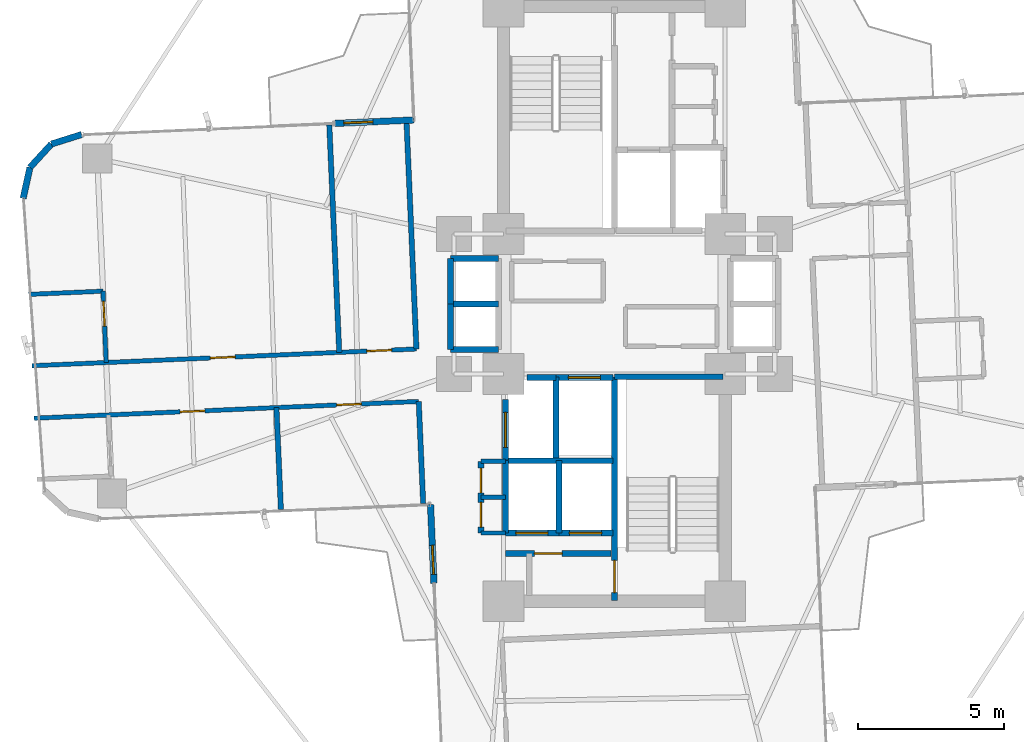
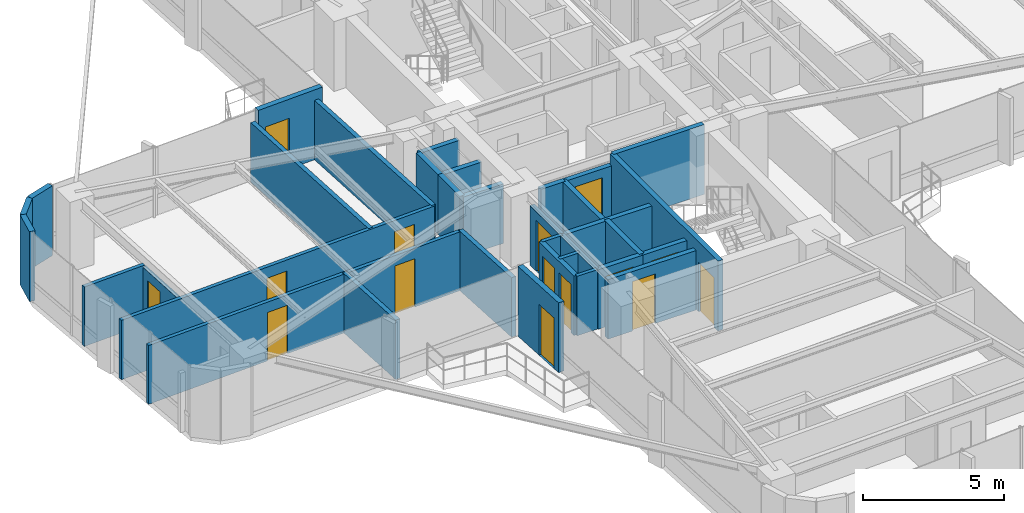
# One storey, part 23 of 26: 34 walls, 15 doors, 15 openings.
"""IFC4 building model written with IfcOpenShell, lengths in metres."""

from ifc_helpers import new_model, si_unit, direction, frame, frame_2d, origin, origin_2d, place, context, subcontext, project, spatial, rectangle, extrude, source, transform, mapped, material, layer, layer_set, type_object, element, fill, save


model = new_model("IFC4")

# Units and contexts
model_context = context("Model", 3, precision=1e-05, world=origin(), true_north=direction((0.0, 1.0)))
body_context = subcontext(model_context, "Body", "Model", "MODEL_VIEW")
ifc_project = project(units=[si_unit("LENGTHUNIT", "METRE"), si_unit("AREAUNIT", "SQUARE_METRE"), si_unit("VOLUMEUNIT", "CUBIC_METRE"), si_unit("PLANEANGLEUNIT", "RADIAN"), si_unit("MASSUNIT", "GRAM", prefix="KILO")], contexts=[model_context])

# Site, building, storey
site_placement = place(None, origin())
site = spatial("IfcSite", under=ifc_project, at=site_placement, CompositionType="ELEMENT")
building_placement = place(site_placement, origin())
building = spatial("IfcBuilding", under=site, at=building_placement, Name="Sahyath Konkavel Grand Hotel", CompositionType="ELEMENT")
storey_placement = place(building_placement, frame((0.0, 0.0, 134.89990234375)))
storey = spatial("IfcBuildingStorey", under=building, at=storey_placement, Name="L37", CompositionType="ELEMENT", Elevation=134.89990234375)

# Wall, opening, door
ifc_material_1 = material(Name="Warm Buff Sandstone Insulated Concrete C40/50", Category="masonry")
ifc_layer_1 = layer(ifc_material_1, 0.219970703125)
ifc_layer_set_1 = layer_set([ifc_layer_1], Name="Warm Buff Sandstone Insulated Concrete C40/50")
wall_type_1 = type_object("IfcWallType", Name="WLL-BALC-THRESH", PredefinedType="STANDARD", material=ifc_layer_set_1)
wall_1_placement = place(storey_placement, frame((-6.881591796875, 6.305908203125, 0.0), z_axis=(0.0, 0.0, 1.0), x_axis=(-0.999045894436, -0.043672655174, 0.0)))
wall_1 = element("IfcWall", 1, at=wall_1_placement, inside=storey, type_object=wall_type_1, Name="L37 Winter-Garden Threshold Wall 16", PredefinedType="STANDARD", context=body_context, shape_type="SweptSolid", body=[
    extrude(rectangle(XDim=2.7001953125, YDim=0.219970703125, at=frame_2d((1.35009765625, 0.0))), origin(), (0.0, 0.0, 1.0), 3.030029296875),
])
opening_1_placement = place(wall_1_placement, frame((1.39990234375, 0.0, 0.0)))
opening_1 = element("IfcOpeningElement", 2, at=opening_1_placement, cuts=wall_1, Name="Opening D-TR1", PredefinedType="OPENING", context=body_context, shape_type="SweptSolid", body=[
    extrude(rectangle(XDim=1.0, YDim=2.199951171875, at=frame_2d((0.5, 1.10009765625))), frame((0.0, 0.1201171875, 0.0), z_axis=(0.0, -1.0, 0.0), x_axis=(1.0, 0.0, 0.0)), (0.0, 0.0, 1.0), 0.239990234375),
])
ifc_material_2 = material(Name="Anodised Bronze Aluminium & Low-E Glazing", Category="aluminium")
door_type_1 = type_object("IfcDoorType", Name="DR-TERRACE-1000", OperationType="NOTDEFINED", PredefinedType="DOOR", material=ifc_material_2)
shared_shape_1 = source(origin(), body_context, "Body", "SweptSolid", [
    extrude(rectangle(XDim=1.0, YDim=0.050048828125, at=origin_2d()), origin(), (0.0, 0.0, 1.0), 2.199951171875),
])
door_1_placement = place(opening_1_placement, frame((0.5, 0.0, 0.0)))
door_1 = element("IfcDoor", 3, at=door_1_placement, inside=storey, type_object=door_type_1, Name="L37 Winter-Garden Terrace Door 16", OperationType="SINGLE_SWING_LEFT", OverallHeight=2.199951171875, OverallWidth=1.0, PredefinedType="DOOR", context=body_context, shape_type="MappedRepresentation", body=[
    mapped(shared_shape_1, transform((0.0, 0.0, 0.0), scale=1.0)),
])
fill(opening_1, door_1)

# Walls
for number, where, z_axis, x_axis, name in (
    (4, (-18.270751953125, 5.80859375, 0.0), (0.0, 0.0, 1.0), (-0.953721713582, -0.30069069331, 0.0), "L37 Rounded Corner Sandstone Pier 17"),
    (5, (-19.3076171875, 5.481689453125, 0.0), (0.0, 0.0, 1.0), (-0.675551721847, -0.737312600672, 0.0), "L37 Rounded Corner Sandstone Pier 18"),
):
    element("IfcWall", number, at=place(storey_placement, frame(where, z_axis=z_axis, x_axis=x_axis)), inside=storey, type_object=wall_type_1, Name=name, PredefinedType="STANDARD", context=body_context, shape_type="SweptSolid", body=[
        extrude(rectangle(XDim=1.087158203125, YDim=0.219970703125, at=frame_2d((0.54345703125, 0.0))), origin(), (0.0, 0.0, 1.0), 3.030029296875),
    ])
wall_2_placement = place(storey_placement, frame((-20.0419921875, 4.68017578125, 0.0), z_axis=(0.0, 0.0, 1.0), x_axis=(-0.216288323511, -0.976329535102, 0.0)))
element("IfcWall", 6, at=wall_2_placement, inside=storey, type_object=wall_type_1, Name="L37 Rounded Corner Sandstone Pier 19", PredefinedType="STANDARD", context=body_context, shape_type="SweptSolid", body=[
    extrude(rectangle(XDim=1.0869140625, YDim=0.219970703125, at=frame_2d((0.54345703125, 0.0))), origin(), (0.0, 0.0, 1.0), 3.030029296875),
])

# Wall, opening, door
wall_3_placement = place(storey_placement, frame((-6.305908203125, -6.881591796875, 0.0), z_axis=(0.0, 0.0, 1.0), x_axis=(0.043672655174, -0.999045894436, 0.0)))
wall_3 = element("IfcWall", 7, at=wall_3_placement, inside=storey, type_object=wall_type_1, Name="L37 Winter-Garden Threshold Wall 24", PredefinedType="STANDARD", context=body_context, shape_type="SweptSolid", body=[
    extrude(rectangle(XDim=2.7001953125, YDim=0.219970703125, at=frame_2d((1.35009765625, 0.0))), origin(), (0.0, 0.0, 1.0), 3.030029296875),
])
opening_2_placement = place(wall_3_placement, frame((1.39990234375, 0.0, 0.0)))
opening_2 = element("IfcOpeningElement", 8, at=opening_2_placement, cuts=wall_3, Name="Opening D-TR1", PredefinedType="OPENING", context=body_context, shape_type="SweptSolid", body=[
    extrude(rectangle(XDim=1.0, YDim=2.199951171875, at=frame_2d((0.5, 1.10009765625))), frame((0.0, 0.1201171875, 0.0), z_axis=(0.0, -1.0, 0.0), x_axis=(1.0, 0.0, 0.0)), (0.0, 0.0, 1.0), 0.239990234375),
])
door_2_placement = place(opening_2_placement, frame((0.5, 0.0, 0.0)))
door_2 = element("IfcDoor", 9, at=door_2_placement, inside=storey, type_object=door_type_1, Name="L37 Winter-Garden Terrace Door 24", OperationType="SINGLE_SWING_LEFT", OverallHeight=2.199951171875, OverallWidth=1.0, PredefinedType="DOOR", context=body_context, shape_type="MappedRepresentation", body=[
    mapped(shared_shape_1, transform((0.0, 0.0, 0.0), scale=1.0)),
])
fill(opening_2, door_2)

ifc_material_3 = material(Name="Concrete C40/50", Category="concrete")
ifc_layer_2 = layer(ifc_material_3, 0.199951171875)
ifc_layer_set_2 = layer_set([ifc_layer_2], Name="Concrete C40/50")
wall_type_2 = type_object("IfcWallType", Name="WLL-CORE-200", PredefinedType="SOLIDWALL", material=ifc_layer_set_2)
wall_4_placement = place(storey_placement, frame((0.0, -10.179931640625, 0.0), z_axis=(0.0, 0.0, 1.0), x_axis=(0.0, 1.0, 0.0)))
wall_4 = element("IfcWall", 10, at=wall_4_placement, inside=storey, type_object=wall_type_2, Name="L37 Stair ST-2 Shaft Wall W", PredefinedType="SOLIDWALL", context=body_context, shape_type="SweptSolid", body=[
    extrude(rectangle(XDim=7.679931640625, YDim=0.199951171875, at=frame_2d((3.83984375, 0.0))), origin(), (0.0, 0.0, 1.0), 3.030029296875),
])
opening_3_placement = place(wall_4_placement, frame((0.280029296875, 0.0, 0.0)))
opening_3 = element("IfcOpeningElement", 11, at=opening_3_placement, cuts=wall_4, Name="Opening D-F12B", PredefinedType="OPENING", context=body_context, shape_type="SweptSolid", body=[
    extrude(rectangle(XDim=1.10009765625, YDim=2.14990234375, at=frame_2d((0.550048828125, 1.074951171875))), frame((0.0, 0.10986328125, 0.0), z_axis=(0.0, -1.0, 0.0), x_axis=(1.0, 0.0, 0.0)), (0.0, 0.0, 1.0), 0.219970703125),
])
ifc_material_4 = material(Name="Steel E350 Smokeproof Fire Door", Category="steel")
door_type_2 = type_object("IfcDoorType", Name="DR-FD120-1100", OperationType="NOTDEFINED", PredefinedType="DOOR", material=ifc_material_4)
shared_shape_2 = source(origin(), body_context, "Body", "SweptSolid", [
    extrude(rectangle(XDim=1.10009765625, YDim=0.050048828125, at=origin_2d()), origin(), (0.0, 0.0, 1.0), 2.14990234375),
])
door_3_placement = place(opening_3_placement, frame((0.550048828125, 0.0, 0.0)))
door_3 = element("IfcDoor", 12, at=door_3_placement, inside=storey, type_object=door_type_2, Name="L37 Stair ST-2 Fire Door", OperationType="SINGLE_SWING_RIGHT", OverallHeight=2.14990234375, OverallWidth=1.10009765625, PredefinedType="DOOR", context=body_context, shape_type="MappedRepresentation", body=[
    mapped(shared_shape_2, transform((0.0, 0.0, 0.0), scale=1.0)),
])
fill(opening_3, door_3)

# Walls
wall_5_placement = place(storey_placement, frame((0.0, -2.5, 0.0), z_axis=(0.0, 0.0, 1.0), x_axis=(1.0, 0.0, 0.0)))
element("IfcWall", 13, at=wall_5_placement, inside=storey, type_object=wall_type_2, Name="L37 Stair ST-2 Shaft Wall N", PredefinedType="SOLIDWALL", context=body_context, shape_type="SweptSolid", body=[
    extrude(rectangle(XDim=3.719970703125, YDim=0.199951171875, at=frame_2d((1.85986328125, 0.0))), origin(), (0.0, 0.0, 1.0), 3.030029296875),
])
wall_6_placement = place(storey_placement, frame((-2.0, -5.280029296875, 0.0), z_axis=(0.0, 0.0, 1.0), x_axis=(0.0, 1.0, 0.0)))
element("IfcWall", 14, at=wall_6_placement, inside=storey, type_object=wall_type_2, Name="L37 Partition SH-FFL2-W", PredefinedType="SOLIDWALL", context=body_context, shape_type="SweptSolid", body=[
    extrude(rectangle(XDim=2.780029296875, YDim=0.199951171875, at=frame_2d((1.39013671875, 0.0))), origin(), (0.0, 0.0, 1.0), 2.580078125),
])

# Wall, opening, door
wall_7_placement = place(storey_placement, frame((-2.0, -2.52001953125, 0.0), z_axis=(0.0, 0.0, 1.0), x_axis=(1.0, 0.0, 0.0)))
wall_7 = element("IfcWall", 15, at=wall_7_placement, inside=storey, type_object=wall_type_2, Name="L37 Partition SH-FFL2-N", PredefinedType="SOLIDWALL", context=body_context, shape_type="SweptSolid", body=[
    extrude(rectangle(XDim=1.949951171875, YDim=0.199951171875, at=frame_2d((0.97509765625, 0.0))), origin(), (0.0, 0.0, 1.0), 2.580078125),
])
opening_4_placement = place(wall_7_placement, frame((0.419921875, 0.0, 0.0)))
opening_4 = element("IfcOpeningElement", 16, at=opening_4_placement, cuts=wall_7, Name="Opening LD-11", PredefinedType="OPENING", context=body_context, shape_type="SweptSolid", body=[
    extrude(rectangle(XDim=1.10009765625, YDim=2.199951171875, at=frame_2d((0.550048828125, 1.10009765625))), frame((0.0, 0.10986328125, 0.0), z_axis=(0.0, -1.0, 0.0), x_axis=(1.0, 0.0, 0.0)), (0.0, 0.0, 1.0), 0.219970703125),
])
ifc_material_5 = material(Name="Bronze Lift Landing Door 1100")
door_type_3 = type_object("IfcDoorType", Name="DR-LIFT-1100", OperationType="DOUBLE_DOOR_SLIDING", PredefinedType="DOOR", material=ifc_material_5)
shared_shape_3 = source(origin(), body_context, "Body", "SweptSolid", [
    extrude(rectangle(XDim=1.10009765625, YDim=0.050048828125, at=origin_2d()), origin(), (0.0, 0.0, 1.0), 2.199951171875),
])
door_4_placement = place(opening_4_placement, frame((0.550048828125, 0.0, 0.0)))
door_4 = element("IfcDoor", 17, at=door_4_placement, inside=storey, type_object=door_type_3, Name="L37 Lift FFL-2 Landing Door", OperationType="DOUBLE_DOOR_SLIDING", OverallHeight=2.199951171875, OverallWidth=1.10009765625, PredefinedType="DOOR", context=body_context, shape_type="MappedRepresentation", body=[
    mapped(shared_shape_3, transform((0.0, 0.0, 0.0), scale=1.0)),
])
fill(opening_4, door_4)

# Wall
wall_8_placement = place(storey_placement, frame((-3.0, -2.52001953125, 0.0), z_axis=(0.0, 0.0, 1.0), x_axis=(1.0, 0.0, 0.0)))
element("IfcWall", 18, at=wall_8_placement, inside=storey, type_object=wall_type_2, Name="L37 Partition SH-SVL2-N", PredefinedType="SOLIDWALL", context=body_context, shape_type="SweptSolid", body=[
    extrude(rectangle(XDim=1.0, YDim=0.199951171875, at=frame_2d((0.5, 0.0))), origin(), (0.0, 0.0, 1.0), 2.580078125),
])

# Wall, opening, door
wall_9_placement = place(storey_placement, frame((-3.739990234375, -5.360107421875, 0.0), z_axis=(0.0, 0.0, 1.0), x_axis=(0.0, 1.0, 0.0)))
wall_9 = element("IfcWall", 19, at=wall_9_placement, inside=storey, type_object=wall_type_2, Name="L37 Partition SH-SVL2-W", PredefinedType="SOLIDWALL", context=body_context, shape_type="SweptSolid", body=[
    extrude(rectangle(XDim=2.080078125, YDim=0.199951171875, at=frame_2d((1.0400390625, 0.0))), origin(), (0.0, 0.0, 1.0), 2.580078125),
])
opening_5_placement = place(wall_9_placement, frame((0.43994140625, 0.0, 0.0)))
opening_5 = element("IfcOpeningElement", 20, at=opening_5_placement, cuts=wall_9, Name="Opening LD-12", PredefinedType="OPENING", context=body_context, shape_type="SweptSolid", body=[
    extrude(rectangle(XDim=1.199951171875, YDim=2.199951171875, at=frame_2d((0.60009765625, 1.10009765625))), frame((0.0, 0.10986328125, 0.0), z_axis=(0.0, -1.0, 0.0), x_axis=(1.0, 0.0, 0.0)), (0.0, 0.0, 1.0), 0.219970703125),
])
ifc_material_6 = material(Name="Stainless Steel Lift Landing Door 1200", Category="steel")
door_type_4 = type_object("IfcDoorType", Name="DR-LIFT-1200", OperationType="DOUBLE_DOOR_SLIDING", PredefinedType="DOOR", material=ifc_material_6)
shared_shape_4 = source(origin(), body_context, "Body", "SweptSolid", [
    extrude(rectangle(XDim=1.199951171875, YDim=0.050048828125, at=origin_2d()), origin(), (0.0, 0.0, 1.0), 2.199951171875),
])
door_5_placement = place(opening_5_placement, frame((0.60009765625, 0.0, 0.0)))
door_5 = element("IfcDoor", 21, at=door_5_placement, inside=storey, type_object=door_type_4, Name="L37 Service Lift SVL-2 Landing Door", OperationType="DOUBLE_DOOR_SLIDING", OverallHeight=2.199951171875, OverallWidth=1.199951171875, PredefinedType="DOOR", context=body_context, shape_type="MappedRepresentation", body=[
    mapped(shared_shape_4, transform((0.0, 0.0, 0.0), scale=1.0)),
])
fill(opening_5, door_5)

# Wall
wall_10_placement = place(storey_placement, frame((-3.739990234375, -7.860107421875, 0.0), z_axis=(0.0, 0.0, 1.0), x_axis=(0.0, 1.0, 0.0)))
element("IfcWall", 22, at=wall_10_placement, inside=storey, type_object=wall_type_2, Name="L37 Partition SH-PL3-W", PredefinedType="SOLIDWALL", context=body_context, shape_type="SweptSolid", body=[
    extrude(rectangle(XDim=2.480224609375, YDim=0.199951171875, at=frame_2d((1.240234375, 0.0))), origin(), (0.0, 0.0, 1.0), 2.580078125),
])

# Wall, opening, door
wall_11_placement = place(storey_placement, frame((-3.739990234375, -7.860107421875, 0.0), z_axis=(0.0, 0.0, 1.0), x_axis=(1.0, 0.0, 0.0)))
wall_11 = element("IfcWall", 23, at=wall_11_placement, inside=storey, type_object=wall_type_2, Name="L37 Partition SH-PL3-S", PredefinedType="SOLIDWALL", context=body_context, shape_type="SweptSolid", body=[
    extrude(rectangle(XDim=1.840087890625, YDim=0.199951171875, at=frame_2d((0.919921875, 0.0))), origin(), (0.0, 0.0, 1.0), 2.580078125),
])
opening_6_placement = place(wall_11_placement, frame((0.360107421875, 0.0, 0.0)))
opening_6 = element("IfcOpeningElement", 24, at=opening_6_placement, cuts=wall_11, Name="Opening LD-11", PredefinedType="OPENING", context=body_context, shape_type="SweptSolid", body=[
    extrude(rectangle(XDim=1.10009765625, YDim=2.199951171875, at=frame_2d((0.550048828125, 1.10009765625))), frame((0.0, 0.10986328125, 0.0), z_axis=(0.0, -1.0, 0.0), x_axis=(1.0, 0.0, 0.0)), (0.0, 0.0, 1.0), 0.219970703125),
])
door_6_placement = place(opening_6_placement, frame((0.550048828125, 0.0, 0.0)))
door_6 = element("IfcDoor", 25, at=door_6_placement, inside=storey, type_object=door_type_3, Name="L37 Passenger Lift PL-3 Landing Door", OperationType="DOUBLE_DOOR_SLIDING", OverallHeight=2.199951171875, OverallWidth=1.10009765625, PredefinedType="DOOR", context=body_context, shape_type="MappedRepresentation", body=[
    mapped(shared_shape_3, transform((0.0, 0.0, 0.0), scale=1.0)),
])
fill(opening_6, door_6)

# Walls
wall_12_placement = place(storey_placement, frame((-3.739990234375, -5.3798828125, 0.0), z_axis=(0.0, 0.0, 1.0), x_axis=(1.0, 0.0, 0.0)))
element("IfcWall", 26, at=wall_12_placement, inside=storey, type_object=wall_type_2, Name="L37 Partition SH-PL34-N", PredefinedType="SOLIDWALL", context=body_context, shape_type="SweptSolid", body=[
    extrude(rectangle(XDim=3.68994140625, YDim=0.199951171875, at=frame_2d((1.844970703125, 0.0))), origin(), (0.0, 0.0, 1.0), 2.580078125),
])
wall_13_placement = place(storey_placement, frame((-1.89990234375, -7.860107421875, 0.0), z_axis=(0.0, 0.0, 1.0), x_axis=(0.0, 1.0, 0.0)))
element("IfcWall", 27, at=wall_13_placement, inside=storey, type_object=wall_type_2, Name="L37 Partition SH-PL34-M", PredefinedType="SOLIDWALL", context=body_context, shape_type="SweptSolid", body=[
    extrude(rectangle(XDim=2.480224609375, YDim=0.199951171875, at=frame_2d((1.240234375, 0.0))), origin(), (0.0, 0.0, 1.0), 2.580078125),
])

# Wall, opening, door
wall_14_placement = place(storey_placement, frame((-1.89990234375, -7.860107421875, 0.0), z_axis=(0.0, 0.0, 1.0), x_axis=(1.0, 0.0, 0.0)))
wall_14 = element("IfcWall", 28, at=wall_14_placement, inside=storey, type_object=wall_type_2, Name="L37 Partition SH-PL4-S", PredefinedType="SOLIDWALL", context=body_context, shape_type="SweptSolid", body=[
    extrude(rectangle(XDim=1.849853515625, YDim=0.199951171875, at=frame_2d((0.9248046875, 0.0))), origin(), (0.0, 0.0, 1.0), 2.580078125),
])
opening_7_placement = place(wall_14_placement, frame((0.360107421875, 0.0, 0.0)))
opening_7 = element("IfcOpeningElement", 29, at=opening_7_placement, cuts=wall_14, Name="Opening LD-11", PredefinedType="OPENING", context=body_context, shape_type="SweptSolid", body=[
    extrude(rectangle(XDim=1.10009765625, YDim=2.199951171875, at=frame_2d((0.550048828125, 1.10009765625))), frame((0.0, 0.10986328125, 0.0), z_axis=(0.0, -1.0, 0.0), x_axis=(1.0, 0.0, 0.0)), (0.0, 0.0, 1.0), 0.219970703125),
])
door_7_placement = place(opening_7_placement, frame((0.550048828125, 0.0, 0.0)))
door_7 = element("IfcDoor", 30, at=door_7_placement, inside=storey, type_object=door_type_3, Name="L37 Passenger Lift PL-4 Landing Door", OperationType="DOUBLE_DOOR_SLIDING", OverallHeight=2.199951171875, OverallWidth=1.10009765625, PredefinedType="DOOR", context=body_context, shape_type="MappedRepresentation", body=[
    mapped(shared_shape_3, transform((0.0, 0.0, 0.0), scale=1.0)),
])
fill(opening_7, door_7)

# Walls
for number, where, z_axis, x_axis, name in (
    (31, (-5.6201171875, 1.56005859375, 0.0), (0.0, 0.0, 1.0), (1.0, 0.0, 0.0), "L37 Partition SH-SL12-N"),
    (32, (-5.6201171875, -1.56005859375, 0.0), (0.0, 0.0, 1.0), (1.0, 0.0, 0.0), "L37 Partition SH-SL12-S"),
    (33, (-5.6201171875, 0.0, 0.0), (0.0, 0.0, 1.0), (1.0, 0.0, 0.0), "L37 Partition SH-SL12-M"),
):
    element("IfcWall", number, at=place(storey_placement, frame(where, z_axis=z_axis, x_axis=x_axis)), inside=storey, type_object=wall_type_2, Name=name, PredefinedType="SOLIDWALL", context=body_context, shape_type="SweptSolid", body=[
        extrude(rectangle(XDim=1.64013671875, YDim=0.199951171875, at=frame_2d((0.820068359375, 0.0))), origin(), (0.0, 0.0, 1.0), 2.580078125),
    ])
for number, where, z_axis, x_axis, name in (
    (34, (-5.6201171875, 0.0, 0.0), (0.0, 0.0, 1.0), (0.0, 1.0, 0.0), "L37 Partition SH-SL1-W"),
    (35, (-5.6201171875, -1.56005859375, 0.0), (0.0, 0.0, 1.0), (0.0, 1.0, 0.0), "L37 Partition SH-SL2-W"),
):
    element("IfcWall", number, at=place(storey_placement, frame(where, z_axis=z_axis, x_axis=x_axis)), inside=storey, type_object=wall_type_2, Name=name, PredefinedType="SOLIDWALL", context=body_context, shape_type="SweptSolid", body=[
        extrude(rectangle(XDim=1.56005859375, YDim=0.199951171875, at=frame_2d((0.780029296875, 0.0))), origin(), (0.0, 0.0, 1.0), 2.580078125),
    ])

# Wall, opening, door
wall_15_placement = place(storey_placement, frame((-3.739990234375, -8.56005859375, 0.0), z_axis=(0.0, 0.0, 1.0), x_axis=(1.0, 0.0, 0.0)))
wall_15 = element("IfcWall", 36, at=wall_15_placement, inside=storey, type_object=wall_type_2, Name="L37 South FF Lobby Separation Wall", PredefinedType="SOLIDWALL", context=body_context, shape_type="SweptSolid", body=[
    extrude(rectangle(XDim=3.619873046875, YDim=0.199951171875, at=frame_2d((1.81005859375, 0.0))), origin(), (0.0, 0.0, 1.0), 2.580078125),
])
opening_8_placement = place(wall_15_placement, frame((1.0, 0.0, 0.0)))
opening_8 = element("IfcOpeningElement", 37, at=opening_8_placement, cuts=wall_15, Name="Opening D-F12C", PredefinedType="OPENING", context=body_context, shape_type="SweptSolid", body=[
    extrude(rectangle(XDim=0.949951171875, YDim=2.14990234375, at=frame_2d((0.47509765625, 1.074951171875))), frame((0.0, 0.10986328125, 0.0), z_axis=(0.0, -1.0, 0.0), x_axis=(1.0, 0.0, 0.0)), (0.0, 0.0, 1.0), 0.219970703125),
])
ifc_material_7 = material(Name="Steel E350 Plant Fire Door", Category="steel")
door_type_5 = type_object("IfcDoorType", Name="DR-FD120-950", OperationType="NOTDEFINED", PredefinedType="DOOR", material=ifc_material_7)
shared_shape_5 = source(origin(), body_context, "Body", "SweptSolid", [
    extrude(rectangle(XDim=0.949951171875, YDim=0.050048828125, at=origin_2d()), origin(), (0.0, 0.0, 1.0), 2.14990234375),
])
door_8_placement = place(opening_8_placement, frame((0.47509765625, 0.0, 0.0)))
door_8 = element("IfcDoor", 38, at=door_8_placement, inside=storey, type_object=door_type_5, Name="L37 South Firefighting Lobby Door", OperationType="SINGLE_SWING_LEFT", OverallHeight=2.14990234375, OverallWidth=0.949951171875, PredefinedType="DOOR", context=body_context, shape_type="MappedRepresentation", body=[
    mapped(shared_shape_5, transform((0.0, 0.0, 0.0), scale=1.0)),
])
fill(opening_8, door_8)

# Wall, openings, doors
wall_16_placement = place(storey_placement, frame((-4.580078125, -7.860107421875, 0.0), z_axis=(0.0, 0.0, 1.0), x_axis=(0.0, 1.0, 0.0)))
wall_16 = element("IfcWall", 39, at=wall_16_placement, inside=storey, type_object=wall_type_2, Name="L37 Partition SC-FLK-W", PredefinedType="SOLIDWALL", context=body_context, shape_type="SweptSolid", body=[
    extrude(rectangle(XDim=2.460205078125, YDim=0.199951171875, at=frame_2d((1.22998046875, 0.0))), origin(), (0.0, 0.0, 1.0), 2.580078125),
])
opening_9_placement = place(wall_16_placement, frame((0.199951171875, 0.0, 0.0)))
opening_9 = element("IfcOpeningElement", 40, at=opening_9_placement, cuts=wall_16, Name="Opening D-F06D", PredefinedType="OPENING", context=body_context, shape_type="SweptSolid", body=[
    extrude(rectangle(XDim=0.85009765625, YDim=2.10009765625, at=frame_2d((0.425048828125, 1.050048828125))), frame((0.0, 0.10986328125, 0.0), z_axis=(0.0, -1.0, 0.0), x_axis=(1.0, 0.0, 0.0)), (0.0, 0.0, 1.0), 0.219970703125),
])
opening_10_placement = place(wall_16_placement, frame((1.3798828125, 0.0, 0.0)))
opening_10 = element("IfcOpeningElement", 41, at=opening_10_placement, cuts=wall_16, Name="Opening D-F06D", PredefinedType="OPENING", context=body_context, shape_type="SweptSolid", body=[
    extrude(rectangle(XDim=0.85009765625, YDim=2.10009765625, at=frame_2d((0.425048828125, 1.050048828125))), frame((0.0, 0.10986328125, 0.0), z_axis=(0.0, -1.0, 0.0), x_axis=(1.0, 0.0, 0.0)), (0.0, 0.0, 1.0), 0.219970703125),
])
ifc_material_8 = material(Name="Fire-Rated Shaft Access Door")
door_type_6 = type_object("IfcDoorType", Name="DR-FD60-850", OperationType="NOTDEFINED", PredefinedType="DOOR", material=ifc_material_8)
shared_shape_6 = source(origin(), body_context, "Body", "SweptSolid", [
    extrude(rectangle(XDim=0.85009765625, YDim=0.050048828125, at=origin_2d()), origin(), (0.0, 0.0, 1.0), 2.10009765625),
])
door_9_placement = place(opening_9_placement, frame((0.425048828125, 0.0, 0.0)))
door_9 = element("IfcDoor", 42, at=door_9_placement, inside=storey, type_object=door_type_6, Name="L37 Door SC-FLK1-D", OperationType="SINGLE_SWING_RIGHT", OverallHeight=2.10009765625, OverallWidth=0.85009765625, PredefinedType="DOOR", context=body_context, shape_type="MappedRepresentation", body=[
    mapped(shared_shape_6, transform((0.0, 0.0, 0.0), scale=1.0)),
])
fill(opening_9, door_9)
door_10_placement = place(opening_10_placement, frame((0.425048828125, 0.0, 0.0)))
door_10 = element("IfcDoor", 43, at=door_10_placement, inside=storey, type_object=door_type_6, Name="L37 Door SC-FLK2-D", OperationType="SINGLE_SWING_LEFT", OverallHeight=2.10009765625, OverallWidth=0.85009765625, PredefinedType="DOOR", context=body_context, shape_type="MappedRepresentation", body=[
    mapped(shared_shape_6, transform((0.0, 0.0, 0.0), scale=1.0)),
])
fill(opening_10, door_10)

# Walls
ifc_material_9 = material(Name="Twin-Stud Acoustic Gypsum Plasterboard Partition")
ifc_layer_3 = layer(ifc_material_9, 0.179931640625)
ifc_layer_set_3 = layer_set([ifc_layer_3], Name="Twin-Stud Acoustic Gypsum Plasterboard Partition")
wall_type_3 = type_object("IfcWallType", Name="WLL-DEMISE-180", PredefinedType="PARTITIONING", material=ifc_layer_set_3)
wall_17_placement = place(storey_placement, frame((-6.71044921875, -3.345947265625, 0.0), z_axis=(0.0, 0.0, 1.0), x_axis=(0.043597663116, -0.999049169846, 0.0)))
element("IfcWall", 44, at=wall_17_placement, inside=storey, type_object=wall_type_3, Name="L37 Partition W-INL", PredefinedType="PARTITIONING", context=body_context, shape_type="SweptSolid", body=[
    extrude(rectangle(XDim=3.5, YDim=0.179931640625, at=frame_2d((1.75, 0.0))), origin(), (0.0, 0.0, 1.0), 2.580078125),
])
wall_18_placement = place(storey_placement, frame((-7.129150390625, 6.2451171875, 0.0), z_axis=(0.0, 0.0, 1.0), x_axis=(0.043600217373, -0.999049058378, 0.0)))
element("IfcWall", 45, at=wall_18_placement, inside=storey, type_object=wall_type_3, Name="L37 Partition W-INR", PredefinedType="PARTITIONING", context=body_context, shape_type="SweptSolid", body=[
    extrude(rectangle(XDim=7.800048828125, YDim=0.179931640625, at=frame_2d((3.89990234375, 0.0))), origin(), (0.0, 0.0, 1.0), 2.580078125),
])
wall_19_placement = place(storey_placement, frame((-11.58984375, -3.558837890625, 0.0), z_axis=(0.0, 0.0, 1.0), x_axis=(0.04366424353, -0.99904626211, 0.0)))
element("IfcWall", 46, at=wall_19_placement, inside=storey, type_object=wall_type_3, Name="L37 Partition W-W1L-DEM", PredefinedType="PARTITIONING", context=body_context, shape_type="SweptSolid", body=[
    extrude(rectangle(XDim=3.500244140625, YDim=0.179931640625, at=frame_2d((1.75, 0.0))), origin(), (0.0, 0.0, 1.0), 2.580078125),
])
wall_20_placement = place(storey_placement, frame((-9.436279296875, -1.6630859375, 0.0), z_axis=(0.0, 0.0, 1.0), x_axis=(-0.043632821702, 0.999047634936, 0.0)))
element("IfcWall", 47, at=wall_20_placement, inside=storey, type_object=wall_type_3, Name="L37 Partition W-WHK-DEM", PredefinedType="PARTITIONING", context=body_context, shape_type="SweptSolid", body=[
    extrude(rectangle(XDim=7.7998046875, YDim=0.179931640625, at=frame_2d((3.89990234375, 0.0))), origin(), (0.0, 0.0, 1.0), 2.580078125),
])
ifc_material_10 = material(Name="Fire-Rated Gypsum Plasterboard Partition")
ifc_layer_4 = layer(ifc_material_10, 0.14990234375)
ifc_layer_set_4 = layer_set([ifc_layer_4], Name="Fire-Rated Gypsum Plasterboard Partition")
wall_type_4 = type_object("IfcWallType", Name="WLL-PART-150", PredefinedType="PARTITIONING", material=ifc_layer_set_4)
for number, where, z_axis, x_axis, name in (
    (48, (-4.580078125, -5.39990234375, 0.0), (0.0, 0.0, 1.0), (1.0, 0.0, 0.0), "L37 Partition SC-FLK-N"),
    (49, (-4.580078125, -7.860107421875, 0.0), (0.0, 0.0, 1.0), (1.0, 0.0, 0.0), "L37 Partition SC-FLK-S"),
    (50, (-4.580078125, -6.6298828125, 0.0), (0.0, 0.0, 1.0), (1.0, 0.0, 0.0), "L37 Partition SC-FLK-M"),
):
    element("IfcWall", number, at=place(storey_placement, frame(where, z_axis=z_axis, x_axis=x_axis)), inside=storey, type_object=wall_type_4, Name=name, PredefinedType="PARTITIONING", context=body_context, shape_type="SweptSolid", body=[
        extrude(rectangle(XDim=0.840087890625, YDim=0.14990234375, at=frame_2d((0.419921875, 0.0))), origin(), (0.0, 0.0, 1.0), 2.580078125),
    ])

# Wall, openings, doors
wall_21_placement = place(storey_placement, frame((-6.71044921875, -3.345947265625, 0.0), z_axis=(0.0, 0.0, 1.0), x_axis=(-0.999048535483, -0.04361219725, 0.0)))
wall_21 = element("IfcWall", 51, at=wall_21_placement, inside=storey, type_object=wall_type_4, Name="L37 Partition W-CL", PredefinedType="PARTITIONING", context=body_context, shape_type="SweptSolid", body=[
    extrude(rectangle(XDim=13.199951171875, YDim=0.14990234375, at=frame_2d((6.60009765625, 0.0))), origin(), (0.0, 0.0, 1.0), 2.550048828125),
])
opening_11_placement = place(wall_21_placement, frame((1.967041015625, 0.0, 0.0)))
opening_11 = element("IfcOpeningElement", 52, at=opening_11_placement, cuts=wall_21, Name="Opening D-F06D", PredefinedType="OPENING", context=body_context, shape_type="SweptSolid", body=[
    extrude(rectangle(XDim=0.85009765625, YDim=2.10009765625, at=frame_2d((0.425048828125, 1.050048828125))), frame((0.0, 0.0849609375, 0.0), z_axis=(0.0, -1.0, 0.0), x_axis=(1.0, 0.0, 0.0)), (0.0, 0.0, 1.0), 0.169921875),
])
opening_12_placement = place(wall_21_placement, frame((7.342041015625, 0.0, 0.0)))
opening_12 = element("IfcOpeningElement", 53, at=opening_12_placement, cuts=wall_21, Name="Opening D-F06D", PredefinedType="OPENING", context=body_context, shape_type="SweptSolid", body=[
    extrude(rectangle(XDim=0.85009765625, YDim=2.10009765625, at=frame_2d((0.425048828125, 1.050048828125))), frame((0.0, 0.0849609375, 0.0), z_axis=(0.0, -1.0, 0.0), x_axis=(1.0, 0.0, 0.0)), (0.0, 0.0, 1.0), 0.169921875),
])
door_11_placement = place(opening_11_placement, frame((0.425048828125, 0.0, 0.0)))
door_11 = element("IfcDoor", 54, at=door_11_placement, inside=storey, type_object=door_type_6, Name="L37 Door W-W1L-D", OperationType="SINGLE_SWING_RIGHT", OverallHeight=2.10009765625, OverallWidth=0.85009765625, PredefinedType="DOOR", context=body_context, shape_type="MappedRepresentation", body=[
    mapped(shared_shape_6, transform((0.0, 0.0, 0.0), scale=1.0)),
])
fill(opening_11, door_11)
door_12_placement = place(opening_12_placement, frame((0.425048828125, 0.0, 0.0)))
door_12 = element("IfcDoor", 55, at=door_12_placement, inside=storey, type_object=door_type_6, Name="L37 Door W-W2L-ED", OperationType="SINGLE_SWING_RIGHT", OverallHeight=2.10009765625, OverallWidth=0.85009765625, PredefinedType="DOOR", context=body_context, shape_type="MappedRepresentation", body=[
    mapped(shared_shape_6, transform((0.0, 0.0, 0.0), scale=1.0)),
])
fill(opening_12, door_12)

wall_22_placement = place(storey_placement, frame((-6.7890625, -1.547607421875, 0.0), z_axis=(0.0, 0.0, 1.0), x_axis=(-0.999048500303, -0.043613003123, 0.0)))
wall_22 = element("IfcWall", 56, at=wall_22_placement, inside=storey, type_object=wall_type_4, Name="L37 Partition W-CR", PredefinedType="PARTITIONING", context=body_context, shape_type="SweptSolid", body=[
    extrude(rectangle(XDim=13.19970703125, YDim=0.14990234375, at=frame_2d((6.599853515625, 0.0))), origin(), (0.0, 0.0, 1.0), 2.580078125),
])
opening_13_placement = place(wall_22_placement, frame((0.85009765625, 0.0, 0.0)))
opening_13 = element("IfcOpeningElement", 57, at=opening_13_placement, cuts=wall_22, Name="Opening D-F06D", PredefinedType="OPENING", context=body_context, shape_type="SweptSolid", body=[
    extrude(rectangle(XDim=0.85009765625, YDim=2.10009765625, at=frame_2d((0.425048828125, 1.050048828125))), frame((0.0, 0.0849609375, 0.0), z_axis=(0.0, -1.0, 0.0), x_axis=(1.0, 0.0, 0.0)), (0.0, 0.0, 1.0), 0.169921875),
])
opening_14_placement = place(wall_22_placement, frame((6.22509765625, 0.0, 0.0)))
opening_14 = element("IfcOpeningElement", 58, at=opening_14_placement, cuts=wall_22, Name="Opening D-F06D", PredefinedType="OPENING", context=body_context, shape_type="SweptSolid", body=[
    extrude(rectangle(XDim=0.85009765625, YDim=2.10009765625, at=frame_2d((0.425048828125, 1.050048828125))), frame((0.0, 0.0849609375, 0.0), z_axis=(0.0, -1.0, 0.0), x_axis=(1.0, 0.0, 0.0)), (0.0, 0.0, 1.0), 0.169921875),
])
door_13_placement = place(opening_13_placement, frame((0.425048828125, 0.0, 0.0)))
door_13 = element("IfcDoor", 59, at=door_13_placement, inside=storey, type_object=door_type_6, Name="L37 Door W-WHK-D", OperationType="SINGLE_SWING_LEFT", OverallHeight=2.10009765625, OverallWidth=0.85009765625, PredefinedType="DOOR", context=body_context, shape_type="MappedRepresentation", body=[
    mapped(shared_shape_6, transform((0.0, 0.0, 0.0), scale=1.0)),
])
fill(opening_13, door_13)
door_14_placement = place(opening_14_placement, frame((0.425048828125, 0.0, 0.0)))
door_14 = element("IfcDoor", 60, at=door_14_placement, inside=storey, type_object=door_type_6, Name="L37 Door W-W2R-ED", OperationType="SINGLE_SWING_LEFT", OverallHeight=2.10009765625, OverallWidth=0.85009765625, PredefinedType="DOOR", context=body_context, shape_type="MappedRepresentation", body=[
    mapped(shared_shape_6, transform((0.0, 0.0, 0.0), scale=1.0)),
])
fill(opening_14, door_14)

# Wall, opening, door
wall_23_placement = place(storey_placement, frame((-17.4287109375, -2.01220703125, 0.0), z_axis=(0.0, 0.0, 1.0), x_axis=(-0.043644787072, 0.999047112283, 0.0)))
wall_23 = element("IfcWall", 61, at=wall_23_placement, inside=storey, type_object=wall_type_4, Name="L37 Partition W-W2R-BS", PredefinedType="PARTITIONING", context=body_context, shape_type="SweptSolid", body=[
    extrude(rectangle(XDim=2.4501953125, YDim=0.14990234375, at=frame_2d((1.22509765625, 0.0))), origin(), (0.0, 0.0, 1.0), 2.5),
])
opening_15_placement = place(wall_23_placement, frame((1.25, 0.0, 0.0)))
opening_15 = element("IfcOpeningElement", 62, at=opening_15_placement, cuts=wall_23, Name="Opening D-BT85", PredefinedType="OPENING", context=body_context, shape_type="SweptSolid", body=[
    extrude(rectangle(XDim=0.85009765625, YDim=2.10009765625, at=frame_2d((0.425048828125, 1.050048828125))), frame((0.0, 0.0849609375, 0.0), z_axis=(0.0, -1.0, 0.0), x_axis=(1.0, 0.0, 0.0)), (0.0, 0.0, 1.0), 0.169921875),
])
ifc_material_11 = material(Name="Moisture-Resistant Teak Bathroom Door")
door_type_7 = type_object("IfcDoorType", Name="DR-BATH-850", OperationType="NOTDEFINED", PredefinedType="DOOR", material=ifc_material_11)
door_15_placement = place(opening_15_placement, frame((0.425048828125, 0.0, 0.0)))
door_15 = element("IfcDoor", 63, at=door_15_placement, inside=storey, type_object=door_type_7, Name="L37 Door W-W2R-BD", OperationType="SINGLE_SWING_RIGHT", OverallHeight=2.10009765625, OverallWidth=0.85009765625, PredefinedType="DOOR", context=body_context, shape_type="MappedRepresentation", body=[
    mapped(shared_shape_6, transform((0.0, 0.0, 0.0), scale=1.0)),
])
fill(opening_15, door_15)

# Wall
wall_24_placement = place(storey_placement, frame((-17.53564453125, 0.435546875, 0.0), z_axis=(0.0, 0.0, 1.0), x_axis=(-0.999046560091, -0.043657425146, 0.0)))
element("IfcWall", 64, at=wall_24_placement, inside=storey, type_object=wall_type_4, Name="L37 Partition W-W2R-BF", PredefinedType="PARTITIONING", context=body_context, shape_type="SweptSolid", body=[
    extrude(rectangle(XDim=2.550048828125, YDim=0.14990234375, at=frame_2d((1.27490234375, 0.0))), origin(), (0.0, 0.0, 1.0), 2.580078125),
])

save(model, "model.ifc")
